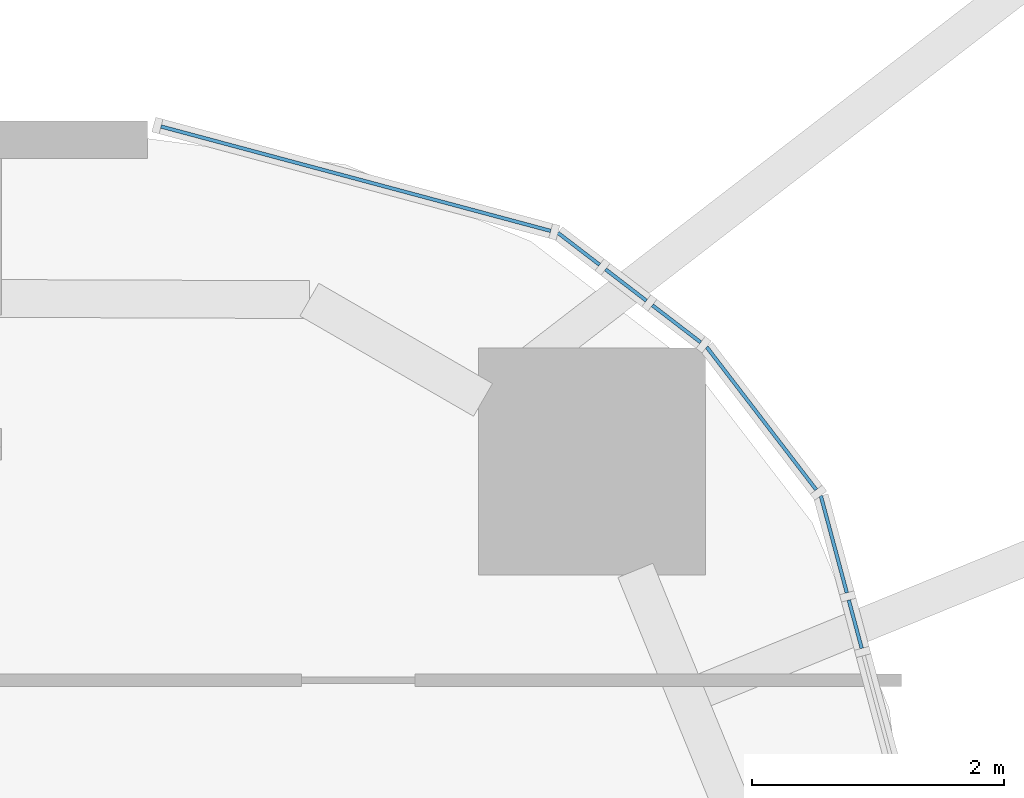
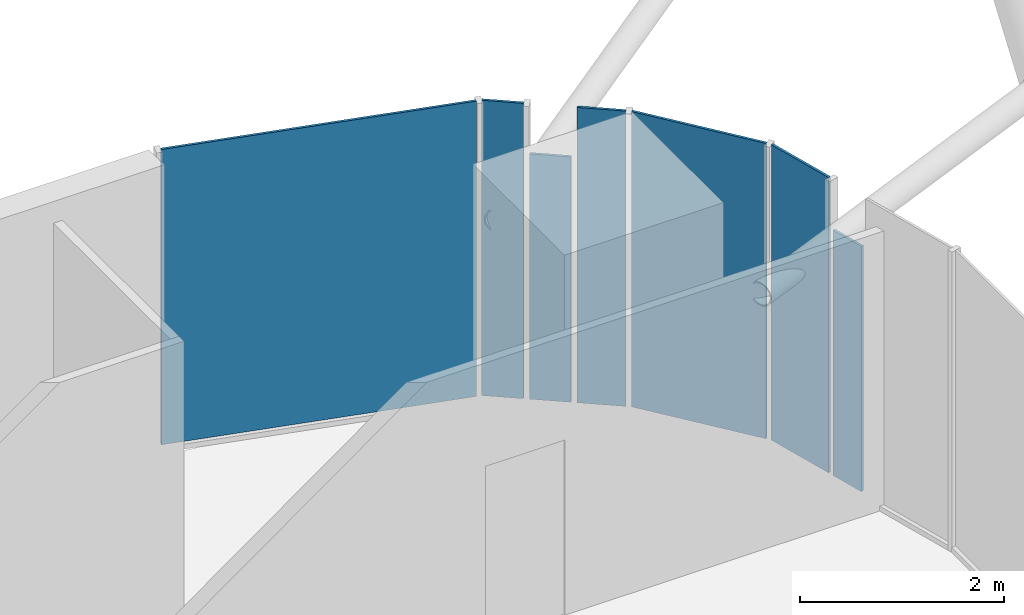
# One storey, part 27 of 38: 7 plates, 7 elements without a shape of their own.
"""IFC4 building model written with IfcOpenShell, lengths in metres."""

import ifcopenshell
import ifcopenshell.guid

model = None  # the IFC model being written
_history = None  # IfcOwnerHistory: only IFC2X3 demands one
_inside = {}  # id of a spatial element -> (the spatial element, [elements in it])
_under = {}  # id of a project, library or spatial element -> (it, [spatial elements below it])
_declared = {}  # id of a project -> (the project, [libraries it declares])
_typed = {}  # id of a type object -> (the type object, [elements of that type])
_made_of = {}  # id of a material, layer set ... -> (it, [elements and type objects made of it])


def new_model(schema):
    """Start an empty IFC model of exactly this schema.

    Asked for "IFC4X3", IfcOpenShell would pick the latest addendum, in which some entities
    have other attributes; the version numbers below select the first issue.
    IFC2X3 requires an IfcOwnerHistory on every rooted entity: one is made here for all.
    """
    global model, _history
    if schema == "IFC4X3":
        model = ifcopenshell.file(schema_version=(4, 3, 0, 0))
    else:
        model = ifcopenshell.file(schema=schema)
    _inside.clear()
    _under.clear()
    _declared.clear()
    _typed.clear()
    _made_of.clear()
    _history = None
    if model.schema == "IFC2X3":
        org = make("IfcOrganization", Name="unknown")
        user = make(
            "IfcPersonAndOrganization",
            ThePerson=make("IfcPerson", FamilyName="unknown"),
            TheOrganization=org,
        )
        app = make(
            "IfcApplication",
            ApplicationDeveloper=org,
            Version="unknown",
            ApplicationFullName="unknown",
            ApplicationIdentifier="unknown",
        )
        _history = make(
            "IfcOwnerHistory",
            OwningUser=user,
            OwningApplication=app,
            ChangeAction="ADDED",
            CreationDate=0,
        )
    return model


def make(cls, **values):
    """One entity of the class cls with the attributes given. An attribute that is None is left unset."""
    return model.create_entity(
        cls, **{name: value for name, value in values.items() if value is not None}
    )


def rooted(cls, **values):
    """An entity with a GlobalId (a new one), such as an element, a storey or a relation."""
    return make(cls, GlobalId=ifcopenshell.guid.new(), OwnerHistory=_history, **values)


def si_unit(unit_type, name, prefix=None):
    """IfcSIUnit, for example si_unit("LENGTHUNIT", "METRE", prefix="MILLI")."""
    return make("IfcSIUnit", UnitType=unit_type, Prefix=prefix, Name=name)


def assignment(units):
    """IfcUnitAssignment: the units of a project."""
    return None if units is None else make("IfcUnitAssignment", Units=units)


def point(xyz):
    """IfcCartesianPoint."""
    return None if xyz is None else make("IfcCartesianPoint", Coordinates=xyz)


def direction(xyz):
    """IfcDirection."""
    return None if xyz is None else make("IfcDirection", DirectionRatios=xyz)


def frame(location, z_axis=None, x_axis=None):
    """IfcAxis2Placement3D, a coordinate frame: its origin and axes. An axis left out is left unset."""
    return make(
        "IfcAxis2Placement3D",
        Location=point(location),
        Axis=direction(z_axis),
        RefDirection=direction(x_axis),
    )


def frame_2d(location, x_axis=None):
    """IfcAxis2Placement2D, a coordinate frame in the plane: its origin and x axis."""
    return make(
        "IfcAxis2Placement2D", Location=point(location), RefDirection=direction(x_axis)
    )


def origin():
    """The frame at (0, 0, 0) with its axes left unset."""
    return frame((0.0, 0.0, 0.0))


def origin_2d():
    """The frame at (0, 0) in the plane with its x axis left unset."""
    return frame_2d((0.0, 0.0))


def place(relative_to, where):
    """IfcLocalPlacement: puts the frame where relative to a parent placement (None: the world)."""
    return make(
        "IfcLocalPlacement", PlacementRelTo=relative_to, RelativePlacement=where
    )


def context(
    kind, dimensions, precision=None, world=None, true_north=None, identifier=None
):
    """IfcGeometricRepresentationContext, for example the 3D "Model" context."""
    return make(
        "IfcGeometricRepresentationContext",
        ContextIdentifier=identifier,
        ContextType=kind,
        CoordinateSpaceDimension=dimensions,
        Precision=precision,
        WorldCoordinateSystem=world,
        TrueNorth=true_north,
    )


def subcontext(parent, identifier, kind, view, scale=None):
    """IfcGeometricRepresentationSubContext, for example "Body" below "Model"."""
    return make(
        "IfcGeometricRepresentationSubContext",
        ContextIdentifier=identifier,
        ContextType=kind,
        ParentContext=parent,
        TargetScale=scale,
        TargetView=view,
    )


def project(units=None, contexts=None):
    """IfcProject with its units and contexts."""
    return rooted(
        "IfcProject",
        Name="project",
        RepresentationContexts=contexts,
        UnitsInContext=assignment(units),
    )


def spatial(cls, under=None, at=None, **own):
    """A site, building, storey or space (cls), placed at a placement, below another one or the project."""
    s = rooted(cls, ObjectPlacement=at, **own)
    if under is not None:
        _under.setdefault(under.id(), (under, []))[1].append(s)
    return s


def profile(cls, at=None, kind="AREA", **sizes):
    """A parametric profile (cls). Its sizes go by their IFC names, for example OverallWidth=200.0."""
    return make(cls, ProfileType=kind, Position=at, **sizes)


def rectangle(**sizes):
    """IfcRectangleProfileDef."""
    return profile("IfcRectangleProfileDef", **sizes)


def extrude(swept, where, along, depth):
    """IfcExtrudedAreaSolid: the profile swept, set in the frame where, extruded along a direction by depth."""
    return make(
        "IfcExtrudedAreaSolid",
        SweptArea=swept,
        Position=where,
        ExtrudedDirection=direction(along),
        Depth=depth,
    )


def shape(context_of_items, identifier, shape_type, items):
    """IfcShapeRepresentation: the items that make up one representation, for example the "Body"."""
    return make(
        "IfcShapeRepresentation",
        ContextOfItems=context_of_items,
        RepresentationIdentifier=identifier,
        RepresentationType=shape_type,
        Items=items,
    )


def material(Name=None, Category=None):
    """IfcMaterial."""
    return make("IfcMaterial", Name=Name, Category=Category)


def layer(
    of_material, thickness, ventilated=None, Name=None, Category=None, Priority=None
):
    """IfcMaterialLayer: one layer of a wall or slab, of a material (None: an air gap)."""
    return make(
        "IfcMaterialLayer",
        Material=of_material,
        LayerThickness=thickness,
        IsVentilated=ventilated,
        Name=Name,
        Category=Category,
        Priority=Priority,
    )


def layer_set(layers, Name=None):
    """IfcMaterialLayerSet."""
    return make("IfcMaterialLayerSet", MaterialLayers=layers, LayerSetName=Name)


def made_of(thing, what):
    """Note that an element or type object is made of a material, layer set ...; save() writes the relation."""
    if what is not None:
        _made_of.setdefault(what.id(), (what, []))[1].append(thing)
    return thing


def type_object(cls, material=None, **own):
    """A type object (cls), such as IfcWallType, which elements share."""
    return made_of(rooted(cls, **own), material)


def element(
    cls,
    number,
    at=None,
    inside=None,
    cuts=None,
    type_object=None,
    material=None,
    context=None,
    identifier="Body",
    shape_type=None,
    held_by="IfcProductDefinitionShape",
    body=None,
    shapes=None,
    **own,
):
    """One element of the class cls, such as IfcWall. Its Tag is "e" and its number.

    at: its placement. inside: the storey or other place that contains it. cuts: it is an
    opening in that element (IfcRelVoidsElement). A single representation is given by context,
    identifier, shape_type and body (its items); several are given by shapes. held_by: the class
    of the entity that holds the representations. save() writes the other relations.
    """
    e = rooted(cls, Tag="e%d" % number, ObjectPlacement=at, **own)
    if body is not None:
        shapes = [shape(context, identifier, shape_type, body)]
    if shapes is not None:
        e.Representation = make(held_by, Representations=shapes)
    if inside is not None:
        _inside.setdefault(inside.id(), (inside, []))[1].append(e)
    if cuts is not None:
        rooted(
            "IfcRelVoidsElement", RelatingBuildingElement=cuts, RelatedOpeningElement=e
        )
    if type_object is not None:
        _typed.setdefault(type_object.id(), (type_object, []))[1].append(e)
    return made_of(e, material)


def aggregate(whole, parts):
    """IfcRelAggregates: a whole, such as a stair, and the parts it consists of."""
    return rooted("IfcRelAggregates", RelatingObject=whole, RelatedObjects=parts)


def save(model, path):
    """Write the relations noted so far, then the file.

    IfcRelAggregates (storeys below a building ...), IfcRelContainedInSpatialStructure (elements
    in a storey), IfcRelDefinesByType, IfcRelAssociatesMaterial and IfcRelDeclares: one each for
    every whole, place, type object, material and project.
    """
    for whole, parts in _under.values():
        aggregate(whole, parts)
    for where, things in _inside.values():
        rooted(
            "IfcRelContainedInSpatialStructure",
            RelatedElements=things,
            RelatingStructure=where,
        )
    for kind, things in _typed.values():
        rooted("IfcRelDefinesByType", RelatedObjects=things, RelatingType=kind)
    for what, things in _made_of.values():
        rooted("IfcRelAssociatesMaterial", RelatedObjects=things, RelatingMaterial=what)
    for by, libraries in _declared.values():
        rooted("IfcRelDeclares", RelatingContext=by, RelatedDefinitions=libraries)
    model.write(path)


model = new_model("IFC4")

# Units and contexts
model_context = context("Model", 3, precision=1e-05, world=origin(), true_north=direction((0.0, 1.0)))
body_context = subcontext(model_context, "Body", "Model", "MODEL_VIEW")
ifc_project = project(units=[si_unit("LENGTHUNIT", "METRE"), si_unit("AREAUNIT", "SQUARE_METRE"), si_unit("VOLUMEUNIT", "CUBIC_METRE"), si_unit("PLANEANGLEUNIT", "RADIAN"), si_unit("MASSUNIT", "GRAM", prefix="KILO")], contexts=[model_context])

# Site, building, storey
site_placement = place(None, origin())
site = spatial("IfcSite", under=ifc_project, at=site_placement, CompositionType="ELEMENT")
building_placement = place(site_placement, origin())
building = spatial("IfcBuilding", under=site, at=building_placement, Name="Marenta Gate Hotel Tower", CompositionType="ELEMENT")
storey_placement = place(building_placement, frame((0.0, 0.0, 54.5)))
storey = spatial("IfcBuildingStorey", under=building, at=storey_placement, Name="L11", CompositionType="ELEMENT", Elevation=54.5)

# Curtain wall, plate
ifc_material_1 = material(Name="Tinted insulated glass in bronze anodised frame", Category="glass")
ifc_layer_1 = layer(ifc_material_1, 0.1201171875)
ifc_layer_set_1 = layer_set([ifc_layer_1], Name="Tinted insulated glass in bronze anodised frame")
curtain_wall_type = type_object("IfcCurtainWallType", Name="Tower unitised curtain wall CW1", PredefinedType="NOTDEFINED", material=ifc_layer_set_1)
curtain_wall_1_placement = place(storey_placement, origin())
curtain_wall_1 = element("IfcCurtainWall", 1, at=curtain_wall_1_placement, inside=storey, type_object=curtain_wall_type, Name="CW1 run G36", PredefinedType="NOTDEFINED")
ifc_material_2 = material(Name="Tinted insulated glass", Category="glass")
ifc_layer_2 = layer(ifc_material_2, 0.028076171875)
ifc_layer_set_2 = layer_set([ifc_layer_2], Name="Tinted insulated glass")
plate_type = type_object("IfcPlateType", Name="Glass panel CW1 28 mm tinted insulated unit", PredefinedType="CURTAIN_PANEL", material=ifc_layer_set_2)
plate_1_placement = place(storey_placement, frame((29.024658203125, 29.844970703125, 0.06005859375), z_axis=(0.0, 0.0, 1.0), x_axis=(-0.258834595648, 0.965921659399, 0.0)))
plate_1 = element("IfcPlate", 2, at=plate_1_placement, type_object=plate_type, Name="CW1 panel 1.1", PredefinedType="CURTAIN_PANEL", context=body_context, shape_type="SweptSolid", body=[
    extrude(rectangle(XDim=0.396728515625, YDim=0.028076171875, at=origin_2d()), origin(), (0.0, 0.0, 1.0), 2.9404296875),
])
aggregate(curtain_wall_1, [plate_1])

curtain_wall_2_placement = place(storey_placement, origin())
curtain_wall_2 = element("IfcCurtainWall", 3, at=curtain_wall_2_placement, inside=storey, type_object=curtain_wall_type, Name="CW1 run G37", PredefinedType="NOTDEFINED")
plate_2_placement = place(storey_placement, frame((28.8544921875, 30.479736328125, 0.06005859375), z_axis=(0.0, 0.0, 1.0), x_axis=(-0.258823498514, 0.96592463299, 0.0)))
plate_2 = element("IfcPlate", 4, at=plate_2_placement, type_object=plate_type, Name="CW1 panel 1.1", PredefinedType="CURTAIN_PANEL", context=body_context, shape_type="SweptSolid", body=[
    extrude(rectangle(XDim=0.797607421875, YDim=0.028076171875, at=origin_2d()), origin(), (0.0, 0.0, 1.0), 3.5400390625),
])
aggregate(curtain_wall_2, [plate_2])

curtain_wall_3_placement = place(storey_placement, origin())
curtain_wall_3 = element("IfcCurtainWall", 5, at=curtain_wall_3_placement, inside=storey, type_object=curtain_wall_type, Name="CW1 run G38", PredefinedType="NOTDEFINED")
plate_3_placement = place(storey_placement, frame((28.280029296875, 31.47900390625, 0.06005859375), z_axis=(0.0, 0.0, 1.0), x_axis=(-0.608781405318, 0.79333801153, 0.0)))
plate_3 = element("IfcPlate", 6, at=plate_3_placement, type_object=plate_type, Name="CW1 panel 1.1", PredefinedType="CURTAIN_PANEL", context=body_context, shape_type="SweptSolid", body=[
    extrude(rectangle(XDim=1.427978515625, YDim=0.028076171875, at=origin_2d()), origin(), (0.0, 0.0, 1.0), 3.5400390625),
])
aggregate(curtain_wall_3, [plate_3])

curtain_wall_4_placement = place(storey_placement, origin())
curtain_wall_4 = element("IfcCurtainWall", 7, at=curtain_wall_4_placement, inside=storey, type_object=curtain_wall_type, Name="CW1 run G39", PredefinedType="NOTDEFINED")
plate_4_placement = place(storey_placement, frame((27.606201171875, 32.229248046875, 0.06005859375), z_axis=(0.0, 0.0, 1.0), x_axis=(-0.793327924254, 0.608794550401, 0.0)))
plate_4 = element("IfcPlate", 8, at=plate_4_placement, type_object=plate_type, Name="CW1 panel 1.1", PredefinedType="CURTAIN_PANEL", context=body_context, shape_type="SweptSolid", body=[
    extrude(rectangle(XDim=0.4833984375, YDim=0.028076171875, at=origin_2d()), origin(), (0.0, 0.0, 1.0), 3.5400390625),
])
aggregate(curtain_wall_4, [plate_4])

curtain_wall_5_placement = place(storey_placement, origin())
curtain_wall_5 = element("IfcCurtainWall", 9, at=curtain_wall_5_placement, inside=storey, type_object=curtain_wall_type, Name="CW1 run G40", PredefinedType="NOTDEFINED")
plate_5_placement = place(storey_placement, frame((27.20458984375, 32.537353515625, 0.06005859375), z_axis=(0.0, 0.0, 1.0), x_axis=(-0.793345275313, 0.608771939349, 0.0)))
plate_5 = element("IfcPlate", 10, at=plate_5_placement, type_object=plate_type, Name="CW1 panel 1.1", PredefinedType="CURTAIN_PANEL", context=body_context, shape_type="SweptSolid", body=[
    extrude(rectangle(XDim=0.40869140625, YDim=0.028076171875, at=origin_2d()), origin(), (0.0, 0.0, 1.0), 2.9404296875),
])
aggregate(curtain_wall_5, [plate_5])

curtain_wall_6_placement = place(storey_placement, origin())
curtain_wall_6 = element("IfcCurtainWall", 11, at=curtain_wall_6_placement, inside=storey, type_object=curtain_wall_type, Name="CW1 run G41", PredefinedType="NOTDEFINED")
plate_6_placement = place(storey_placement, frame((26.830078125, 32.82470703125, 0.06005859375), z_axis=(0.0, 0.0, 1.0), x_axis=(-0.793342380821, 0.608775711402, 0.0)))
plate_6 = element("IfcPlate", 12, at=plate_6_placement, type_object=plate_type, Name="CW1 panel 1.1", PredefinedType="CURTAIN_PANEL", context=body_context, shape_type="SweptSolid", body=[
    extrude(rectangle(XDim=0.415771484375, YDim=0.028076171875, at=origin_2d()), origin(), (0.0, 0.0, 1.0), 3.5400390625),
])
aggregate(curtain_wall_6, [plate_6])

curtain_wall_7_placement = place(storey_placement, origin())
curtain_wall_7 = element("IfcCurtainWall", 13, at=curtain_wall_7_placement, inside=storey, type_object=curtain_wall_type, Name="CW1 run G42", PredefinedType="NOTDEFINED")
plate_7_placement = place(storey_placement, frame((25.060791015625, 33.381103515625, 0.06005859375), z_axis=(0.0, 0.0, 1.0), x_axis=(-0.965928970532, 0.258807310344, 0.0)))
plate_7 = element("IfcPlate", 14, at=plate_7_placement, type_object=plate_type, Name="CW1 panel 1.1", PredefinedType="CURTAIN_PANEL", context=body_context, shape_type="SweptSolid", body=[
    extrude(rectangle(XDim=3.20166015625, YDim=0.028076171875, at=origin_2d()), origin(), (0.0, 0.0, 1.0), 3.5400390625),
])
aggregate(curtain_wall_7, [plate_7])

save(model, "model.ifc")
